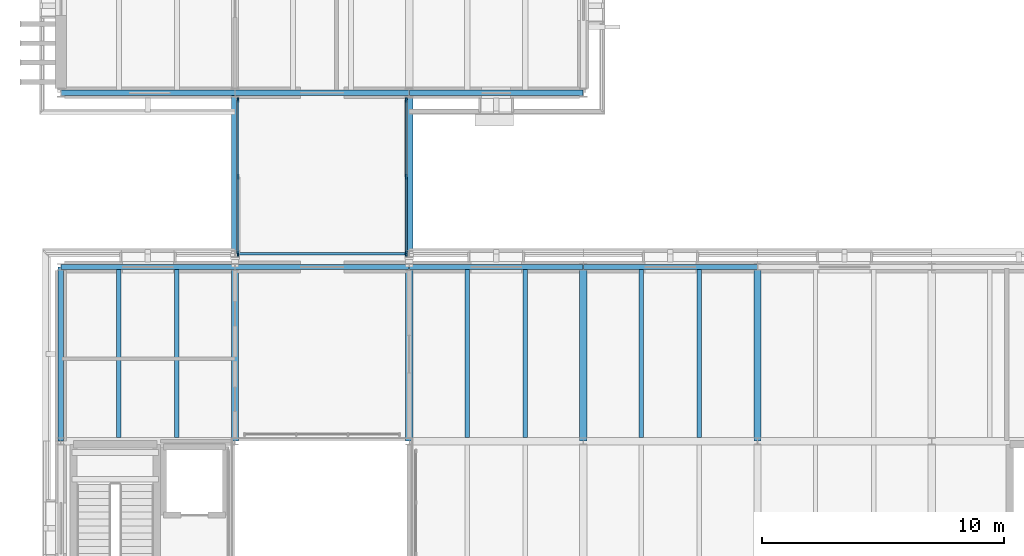
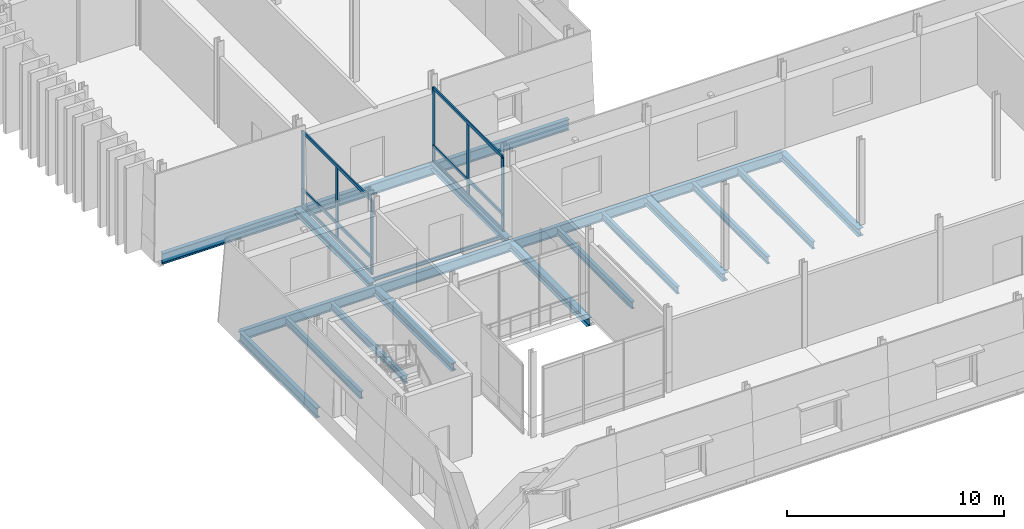
# One storey, part 23 of 121: 21 beams, 12 members, 2 elements without a shape of their own.
"""IFC4 building model written with IfcOpenShell, lengths in metres."""

from ifc_helpers import new_model, si_unit, direction, frame, origin, origin_2d, place, context, subcontext, project, spatial, rectangle, i_section, extrude, material, layer, layer_set, material_profile, profile_set, type_object, element, aggregate, save


model = new_model("IFC4")

# Units and contexts
model_context = context("Model", 3, precision=1e-05, world=origin(), true_north=direction((0.0, 1.0)))
body_context = subcontext(model_context, "Body", "Model", "MODEL_VIEW")
ifc_project = project(units=[si_unit("LENGTHUNIT", "METRE"), si_unit("AREAUNIT", "SQUARE_METRE"), si_unit("VOLUMEUNIT", "CUBIC_METRE"), si_unit("PLANEANGLEUNIT", "RADIAN"), si_unit("MASSUNIT", "GRAM", prefix="KILO")], contexts=[model_context])

# Site, building, storey
site_placement = place(None, origin())
site = spatial("IfcSite", under=ifc_project, at=site_placement, CompositionType="ELEMENT")
building_placement = place(site_placement, origin())
building = spatial("IfcBuilding", under=site, at=building_placement, Name="Narikvali Park Central Library", CompositionType="ELEMENT")
storey_placement = place(building_placement, frame((0.0, 0.0, 5.39990234375)))
storey = spatial("IfcBuildingStorey", under=building, at=storey_placement, Name="L01", CompositionType="ELEMENT", Elevation=5.39990234375)

# Beams
ifc_material_1 = material(Name="Steel S355", Category="steel")
ifc_material_profile_1 = material_profile(ifc_material_1, i_section(OverallWidth=0.300048828125, OverallDepth=0.35009765625, WebThickness=0.010009765625, FlangeThickness=0.017578125, FilletRadius=0.027099609375, at=origin_2d()), Name="HEA 360")
ifc_profile_set_1 = profile_set([ifc_material_profile_1], Name="Steel S355")
beam_type_1 = type_object("IfcBeamType", Name="Bridge Sliding Girder HEA360", PredefinedType="BEAM", material=ifc_profile_set_1)
for number, where, z_axis, x_axis, name in (
    (1, (7.199951171875, 21.820068359375, -0.4248046875), (0.0, 1.0, 0.0), (-1.0, 0.0, 0.0), "BRG-5 L01 Sliding Bridge Girder 1-1"),
    (2, (14.39990234375, 21.820068359375, -0.4248046875), (0.0, 1.0, 0.0), (-1.0, 0.0, 0.0), "BRG-5 L01 Sliding Bridge Girder 2-1"),
):
    element("IfcBeam", number, at=place(storey_placement, frame(where, z_axis=z_axis, x_axis=x_axis)), inside=storey, type_object=beam_type_1, Name=name, PredefinedType="BEAM", context=body_context, shape_type="SweptSolid", body=[
        extrude(i_section(OverallWidth=0.300048828125, OverallDepth=0.35009765625, WebThickness=0.010009765625, FlangeThickness=0.017578125, FilletRadius=0.027099609375, at=origin_2d()), origin(), (0.0, 0.0, 1.0), 6.969970703125),
    ])
ifc_material_profile_2 = material_profile(ifc_material_1, i_section(OverallWidth=0.179931640625, OverallDepth=0.39990234375, WebThickness=0.008544921875, FlangeThickness=0.013427734375, FilletRadius=0.02099609375, at=origin_2d()), Name="IPE 400")
ifc_profile_set_2 = profile_set([ifc_material_profile_2], Name="Steel S355")
beam_type_2 = type_object("IfcBeamType", Name="Composite Floor Joist IPE400", PredefinedType="JOIST", material=ifc_profile_set_2)
for number, where, z_axis, x_axis, name in (
    (3, (2.39990234375, 14.550048828125, -0.47998046875), (0.0, 1.0, 0.0), (-1.0, 0.0, 0.0), "V2 L01 Composite Joist 1"),
    (4, (4.800048828125, 14.550048828125, -0.47998046875), (0.0, 1.0, 0.0), (-1.0, 0.0, 0.0), "V2 L01 Composite Joist 2"),
    (5, (16.800048828125, 14.550048828125, -0.47998046875), (0.0, 1.0, 0.0), (-1.0, 0.0, 0.0), "V2 L01 Composite Joist 1"),
    (6, (19.199951171875, 14.550048828125, -0.47998046875), (0.0, 1.0, 0.0), (-1.0, 0.0, 0.0), "V2 L01 Composite Joist 2"),
    (7, (24.0, 14.550048828125, -0.47998046875), (0.0, 1.0, 0.0), (-1.0, 0.0, 0.0), "V2 L01 Composite Joist 1"),
    (8, (26.39990234375, 14.550048828125, -0.47998046875), (0.0, 1.0, 0.0), (-1.0, 0.0, 0.0), "V2 L01 Composite Joist 2"),
):
    element("IfcBeam", number, at=place(storey_placement, frame(where, z_axis=z_axis, x_axis=x_axis)), inside=storey, type_object=beam_type_2, Name=name, PredefinedType="JOIST", context=body_context, shape_type="SweptSolid", body=[
        extrude(i_section(OverallWidth=0.179931640625, OverallDepth=0.39990234375, WebThickness=0.008544921875, FlangeThickness=0.013427734375, FilletRadius=0.02099609375, at=origin_2d()), origin(), (0.0, 0.0, 1.0), 6.945068359375),
    ])

# Curtain wall, members
ifc_material_2 = material(Name="Anodised Bronze Aluminium", Category="aluminium")
ifc_layer = layer(ifc_material_2, 0.219970703125, Name="Anodised Bronze Aluminium")
ifc_layer_set = layer_set([ifc_layer], Name="Anodised Bronze Aluminium")
curtain_wall_type = type_object("IfcCurtainWallType", Name="Bridge Covered Passage Glazing System", PredefinedType="NOTDEFINED", material=ifc_layer_set)
curtain_wall_1_placement = place(storey_placement, origin())
curtain_wall_1 = element("IfcCurtainWall", 9, at=curtain_wall_1_placement, inside=storey, type_object=curtain_wall_type, Name="Bridge Covered Passage Glazing System CW-BRG-5-L01-W1", PredefinedType="NOTDEFINED")
ifc_material_profile_3 = material_profile(ifc_material_2, rectangle(XDim=0.074951171875, YDim=0.179931640625, at=origin_2d()), Name="CW TRANSOM 75x180")
ifc_profile_set_3 = profile_set([ifc_material_profile_3], Name="Anodised Bronze Aluminium")
member_type_1 = type_object("IfcMemberType", Name="Curtain Wall Heavy Transom 75x180", PredefinedType="USERDEFINED", material=ifc_profile_set_3)
member_1_placement = place(storey_placement, frame((7.320068359375, 22.14990234375, 0.030029296875), z_axis=(0.0, 1.0, 0.0), x_axis=(-1.0, 0.0, 0.0)))
member_1 = element("IfcMember", 10, at=member_1_placement, type_object=member_type_1, Name="CW-BRG-5-L01-W1 Transom 00", ObjectType="TRANSOM", PredefinedType="USERDEFINED", context=body_context, shape_type="SweptSolid", body=[
    extrude(rectangle(XDim=0.074951171875, YDim=0.179931640625, at=origin_2d()), origin(), (0.0, 0.0, 1.0), 6.35009765625),
])
member_2_placement = place(storey_placement, frame((7.320068359375, 22.14990234375, 0.900146484375), z_axis=(0.0, 1.0, 0.0), x_axis=(-1.0, 0.0, 0.0)))
member_2 = element("IfcMember", 11, at=member_2_placement, type_object=member_type_1, Name="CW-BRG-5-L01-W1 Transom 01", ObjectType="TRANSOM", PredefinedType="USERDEFINED", context=body_context, shape_type="SweptSolid", body=[
    extrude(rectangle(XDim=0.074951171875, YDim=0.179931640625, at=origin_2d()), origin(), (0.0, 0.0, 1.0), 6.35009765625),
])
member_3_placement = place(storey_placement, frame((7.320068359375, 22.14990234375, 4.1201171875), z_axis=(0.0, 1.0, 0.0), x_axis=(-1.0, 0.0, 0.0)))
member_3 = element("IfcMember", 12, at=member_3_placement, type_object=member_type_1, Name="CW-BRG-5-L01-W1 Transom 02", ObjectType="TRANSOM", PredefinedType="USERDEFINED", context=body_context, shape_type="SweptSolid", body=[
    extrude(rectangle(XDim=0.074951171875, YDim=0.179931640625, at=origin_2d()), origin(), (0.0, 0.0, 1.0), 6.35009765625),
])

curtain_wall_2_placement = place(storey_placement, origin())
curtain_wall_2 = element("IfcCurtainWall", 13, at=curtain_wall_2_placement, inside=storey, type_object=curtain_wall_type, Name="Bridge Covered Passage Glazing System CW-BRG-5-L01-E1", PredefinedType="NOTDEFINED")
member_4_placement = place(storey_placement, frame((14.280029296875, 22.14990234375, 0.030029296875), z_axis=(0.0, 1.0, 0.0), x_axis=(-1.0, 0.0, 0.0)))
member_4 = element("IfcMember", 14, at=member_4_placement, type_object=member_type_1, Name="CW-BRG-5-L01-E1 Transom 00", ObjectType="TRANSOM", PredefinedType="USERDEFINED", context=body_context, shape_type="SweptSolid", body=[
    extrude(rectangle(XDim=0.074951171875, YDim=0.179931640625, at=origin_2d()), origin(), (0.0, 0.0, 1.0), 6.35009765625),
])
member_5_placement = place(storey_placement, frame((14.280029296875, 22.14990234375, 0.900146484375), z_axis=(0.0, 1.0, 0.0), x_axis=(-1.0, 0.0, 0.0)))
member_5 = element("IfcMember", 15, at=member_5_placement, type_object=member_type_1, Name="CW-BRG-5-L01-E1 Transom 01", ObjectType="TRANSOM", PredefinedType="USERDEFINED", context=body_context, shape_type="SweptSolid", body=[
    extrude(rectangle(XDim=0.074951171875, YDim=0.179931640625, at=origin_2d()), origin(), (0.0, 0.0, 1.0), 6.35009765625),
])
member_6_placement = place(storey_placement, frame((14.280029296875, 22.14990234375, 4.1201171875), z_axis=(0.0, 1.0, 0.0), x_axis=(-1.0, 0.0, 0.0)))
member_6 = element("IfcMember", 16, at=member_6_placement, type_object=member_type_1, Name="CW-BRG-5-L01-E1 Transom 02", ObjectType="TRANSOM", PredefinedType="USERDEFINED", context=body_context, shape_type="SweptSolid", body=[
    extrude(rectangle(XDim=0.074951171875, YDim=0.179931640625, at=origin_2d()), origin(), (0.0, 0.0, 1.0), 6.35009765625),
])

# Member
ifc_material_profile_4 = material_profile(ifc_material_2, rectangle(XDim=0.070068359375, YDim=0.199951171875, at=origin_2d()), Name="CW MULLION 70x200")
ifc_profile_set_4 = profile_set([ifc_material_profile_4], Name="Anodised Bronze Aluminium")
member_type_2 = type_object("IfcMemberType", Name="Curtain Wall Mullion 70x200", PredefinedType="MULLION", material=ifc_profile_set_4)
member_7_placement = place(storey_placement, frame((7.320068359375, 22.14990234375, -0.010009765625), z_axis=(0.0, 0.0, 1.0), x_axis=(1.0, 0.0, 0.0)))
member_7 = element("IfcMember", 17, at=member_7_placement, type_object=member_type_2, Name="CW-BRG-5-L01-W1 Mullion 00", PredefinedType="MULLION", context=body_context, shape_type="SweptSolid", body=[
    extrude(rectangle(XDim=0.070068359375, YDim=0.199951171875, at=origin_2d()), origin(), (0.0, 0.0, 1.0), 4.16015625),
])

member_8_placement = place(storey_placement, frame((7.320068359375, 25.324951171875, -0.010009765625), z_axis=(0.0, 0.0, 1.0), x_axis=(1.0, 0.0, 0.0)))
member_8 = element("IfcMember", 18, at=member_8_placement, type_object=member_type_2, Name="CW-BRG-5-L01-W1 Mullion 01", PredefinedType="MULLION", context=body_context, shape_type="SweptSolid", body=[
    extrude(rectangle(XDim=0.070068359375, YDim=0.199951171875, at=origin_2d()), origin(), (0.0, 0.0, 1.0), 4.16015625),
])

member_9_placement = place(storey_placement, frame((7.320068359375, 28.5, -0.010009765625), z_axis=(0.0, 0.0, 1.0), x_axis=(1.0, 0.0, 0.0)))
member_9 = element("IfcMember", 19, at=member_9_placement, type_object=member_type_2, Name="CW-BRG-5-L01-W1 Mullion 02", PredefinedType="MULLION", context=body_context, shape_type="SweptSolid", body=[
    extrude(rectangle(XDim=0.070068359375, YDim=0.199951171875, at=origin_2d()), origin(), (0.0, 0.0, 1.0), 4.16015625),
])

aggregate(curtain_wall_1, [member_7, member_8, member_9, member_1, member_2, member_3])

member_10_placement = place(storey_placement, frame((14.280029296875, 22.14990234375, -0.010009765625), z_axis=(0.0, 0.0, 1.0), x_axis=(1.0, 0.0, 0.0)))
member_10 = element("IfcMember", 20, at=member_10_placement, type_object=member_type_2, Name="CW-BRG-5-L01-E1 Mullion 00", PredefinedType="MULLION", context=body_context, shape_type="SweptSolid", body=[
    extrude(rectangle(XDim=0.070068359375, YDim=0.199951171875, at=origin_2d()), origin(), (0.0, 0.0, 1.0), 4.16015625),
])

member_11_placement = place(storey_placement, frame((14.280029296875, 25.324951171875, -0.010009765625), z_axis=(0.0, 0.0, 1.0), x_axis=(1.0, 0.0, 0.0)))
member_11 = element("IfcMember", 21, at=member_11_placement, type_object=member_type_2, Name="CW-BRG-5-L01-E1 Mullion 01", PredefinedType="MULLION", context=body_context, shape_type="SweptSolid", body=[
    extrude(rectangle(XDim=0.070068359375, YDim=0.199951171875, at=origin_2d()), origin(), (0.0, 0.0, 1.0), 4.16015625),
])

member_12_placement = place(storey_placement, frame((14.280029296875, 28.5, -0.010009765625), z_axis=(0.0, 0.0, 1.0), x_axis=(1.0, 0.0, 0.0)))
member_12 = element("IfcMember", 22, at=member_12_placement, type_object=member_type_2, Name="CW-BRG-5-L01-E1 Mullion 02", PredefinedType="MULLION", context=body_context, shape_type="SweptSolid", body=[
    extrude(rectangle(XDim=0.070068359375, YDim=0.199951171875, at=origin_2d()), origin(), (0.0, 0.0, 1.0), 4.16015625),
])

aggregate(curtain_wall_2, [member_10, member_11, member_12, member_4, member_5, member_6])

# Beams
ifc_material_profile_5 = material_profile(ifc_material_1, i_section(OverallWidth=0.2099609375, OverallDepth=0.550048828125, WebThickness=0.010986328125, FlangeThickness=0.01708984375, FilletRadius=0.02392578125, at=origin_2d()), Name="IPE 550")
ifc_profile_set_5 = profile_set([ifc_material_profile_5], Name="Steel S355")
beam_type_3 = type_object("IfcBeamType", Name="Perimeter Spandrel IPE550", PredefinedType="SPANDREL", material=ifc_profile_set_5)
beam_1_placement = place(storey_placement, frame((0.008056640625, 21.60009765625, -0.554931640625), z_axis=(1.0, 0.0, 0.0), x_axis=(0.0, 1.0, 0.0)))
element("IfcBeam", 23, at=beam_1_placement, inside=storey, type_object=beam_type_3, Name="V2 L01 Girder X", PredefinedType="SPANDREL", context=body_context, shape_type="SweptSolid", body=[
    extrude(i_section(OverallWidth=0.2099609375, OverallDepth=0.550048828125, WebThickness=0.010986328125, FlangeThickness=0.01708984375, FilletRadius=0.02392578125, at=origin_2d()), origin(), (0.0, 0.0, 1.0), 7.183837890625),
])
for number, where, z_axis, x_axis, name in (
    (24, (7.2080078125, 21.60009765625, -0.554931640625), (1.0, 0.0, 0.0), (0.0, 1.0, 0.0), "V2 L01 Girder X"),
    (25, (14.407958984375, 21.60009765625, -0.554931640625), (1.0, 0.0, 0.0), (0.0, 1.0, 0.0), "V2 L01 Girder X"),
    (26, (21.60791015625, 21.60009765625, -0.554931640625), (1.0, 0.0, 0.0), (0.0, 1.0, 0.0), "V2 L01 Girder X"),
    (27, (0.0, 14.407958984375, -0.554931640625), (0.0, 1.0, 0.0), (-1.0, 0.0, 0.0), "V2 L01 Girder Y"),
):
    element("IfcBeam", number, at=place(storey_placement, frame(where, z_axis=z_axis, x_axis=x_axis)), inside=storey, type_object=beam_type_3, Name=name, PredefinedType="SPANDREL", context=body_context, shape_type="SweptSolid", body=[
        extrude(i_section(OverallWidth=0.2099609375, OverallDepth=0.550048828125, WebThickness=0.010986328125, FlangeThickness=0.01708984375, FilletRadius=0.02392578125, at=origin_2d()), origin(), (0.0, 0.0, 1.0), 7.18408203125),
    ])
ifc_material_profile_6 = material_profile(ifc_material_1, i_section(OverallWidth=0.219970703125, OverallDepth=0.60009765625, WebThickness=0.011962890625, FlangeThickness=0.01904296875, FilletRadius=0.02392578125, at=origin_2d()), Name="IPE 600")
ifc_profile_set_6 = profile_set([ifc_material_profile_6], Name="Steel S355")
beam_type_4 = type_object("IfcBeamType", Name="Perimeter Spandrel IPE600", PredefinedType="SPANDREL", material=ifc_profile_set_6)
beam_2_placement = place(storey_placement, frame((0.008056640625, 28.800048828125, -0.599853515625), z_axis=(1.0, 0.0, 0.0), x_axis=(0.0, 1.0, 0.0)))
element("IfcBeam", 28, at=beam_2_placement, inside=storey, type_object=beam_type_4, Name="V5 L01 Girder X", PredefinedType="SPANDREL", context=body_context, shape_type="SweptSolid", body=[
    extrude(i_section(OverallWidth=0.219970703125, OverallDepth=0.60009765625, WebThickness=0.011962890625, FlangeThickness=0.01904296875, FilletRadius=0.02392578125, at=origin_2d()), origin(), (0.0, 0.0, 1.0), 7.183837890625),
])
for number, where, z_axis, x_axis, name in (
    (29, (7.2080078125, 28.800048828125, -0.599853515625), (1.0, 0.0, 0.0), (0.0, 1.0, 0.0), "V5 L01 Girder X"),
    (30, (14.407958984375, 28.800048828125, -0.599853515625), (1.0, 0.0, 0.0), (0.0, 1.0, 0.0), "V5 L01 Girder X"),
):
    element("IfcBeam", number, at=place(storey_placement, frame(where, z_axis=z_axis, x_axis=x_axis)), inside=storey, type_object=beam_type_4, Name=name, PredefinedType="SPANDREL", context=body_context, shape_type="SweptSolid", body=[
        extrude(i_section(OverallWidth=0.219970703125, OverallDepth=0.60009765625, WebThickness=0.011962890625, FlangeThickness=0.01904296875, FilletRadius=0.02392578125, at=origin_2d()), origin(), (0.0, 0.0, 1.0), 7.18408203125),
    ])
ifc_material_profile_7 = material_profile(ifc_material_1, i_section(OverallWidth=0.10009765625, OverallDepth=0.199951171875, WebThickness=0.005615234375, FlangeThickness=0.008544921875, FilletRadius=0.011962890625, at=origin_2d()), Name="IPE 200")
ifc_profile_set_7 = profile_set([ifc_material_profile_7], Name="Steel S355")
beam_type_5 = type_object("IfcBeamType", Name="Portal Steel Lintel IPE200", PredefinedType="LINTEL", material=ifc_profile_set_7)
beam_3_placement = place(storey_placement, frame((7.360107421875, 22.14990234375, -0.349853515625), z_axis=(1.0, 0.0, 0.0), x_axis=(0.0, 1.0, 0.0)))
element("IfcBeam", 31, at=beam_3_placement, inside=storey, type_object=beam_type_5, Name="BRG-5 L01 Portal Transverse Lintel", PredefinedType="LINTEL", context=body_context, shape_type="SweptSolid", body=[
    extrude(i_section(OverallWidth=0.10009765625, OverallDepth=0.199951171875, WebThickness=0.005615234375, FlangeThickness=0.008544921875, FilletRadius=0.011962890625, at=origin_2d()), origin(), (0.0, 0.0, 1.0), 6.8798828125),
])
ifc_material_profile_8 = material_profile(ifc_material_1, i_section(OverallWidth=0.300048828125, OverallDepth=0.43994140625, WebThickness=0.011474609375, FlangeThickness=0.02099609375, FilletRadius=0.027099609375, at=origin_2d()), Name="HEA 450")
ifc_profile_set_8 = profile_set([ifc_material_profile_8], Name="Steel S355")
beam_type_6 = type_object("IfcBeamType", Name="Primary Girder HEA450", PredefinedType="BEAM", material=ifc_profile_set_8)
for number, where, z_axis, x_axis, name in (
    (32, (7.199951171875, 14.407958984375, -0.5), (0.0, 1.0, 0.0), (-1.0, 0.0, 0.0), "V2 L01 Girder Y"),
    (33, (14.39990234375, 14.407958984375, -0.5), (0.0, 1.0, 0.0), (-1.0, 0.0, 0.0), "V2 L01 Girder Y"),
    (34, (21.60009765625, 14.407958984375, -0.5), (0.0, 1.0, 0.0), (-1.0, 0.0, 0.0), "V2 L01 Girder Y"),
    (35, (28.800048828125, 14.407958984375, -0.5), (0.0, 1.0, 0.0), (-1.0, 0.0, 0.0), "V2 L01 Girder Y"),
):
    element("IfcBeam", number, at=place(storey_placement, frame(where, z_axis=z_axis, x_axis=x_axis)), inside=storey, type_object=beam_type_6, Name=name, PredefinedType="BEAM", context=body_context, shape_type="SweptSolid", body=[
        extrude(i_section(OverallWidth=0.300048828125, OverallDepth=0.43994140625, WebThickness=0.011474609375, FlangeThickness=0.02099609375, FilletRadius=0.027099609375, at=origin_2d()), origin(), (0.0, 0.0, 1.0), 7.18408203125),
    ])

save(model, "model.ifc")
